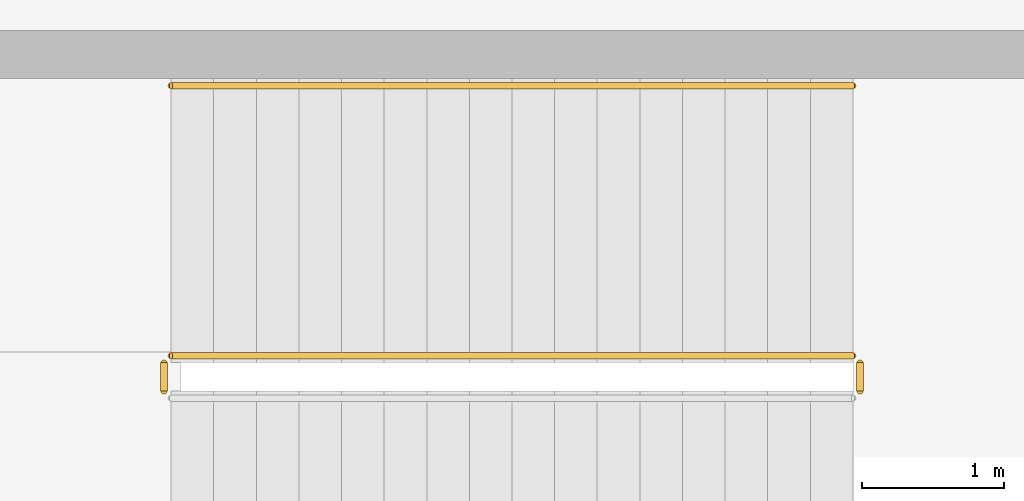
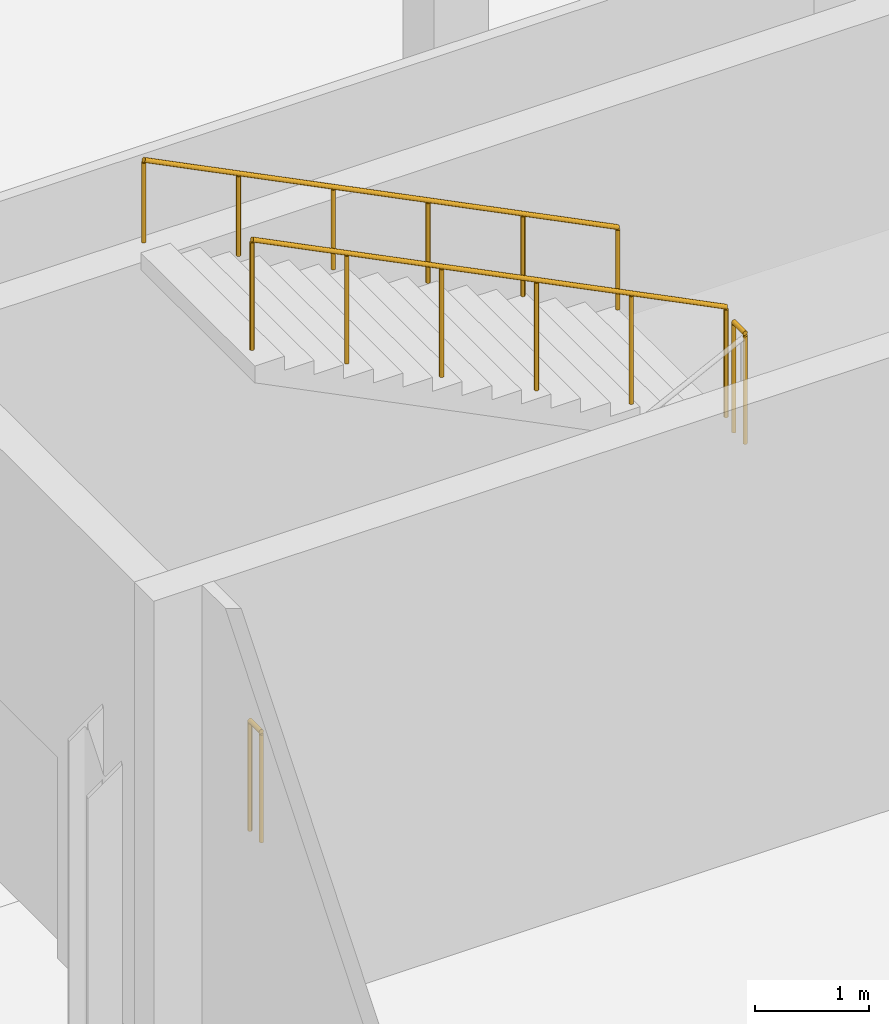
# One storey, part 98 of 103: 4 railings.
"""IFC4 building model written with IfcOpenShell, lengths in metres."""

from ifc_helpers import new_model, si_unit, direction, frame, origin, origin_2d, place, context, subcontext, project, spatial, circle, extrude, material, type_object, element, save


model = new_model("IFC4")

# Units and contexts
model_context = context("Model", 3, precision=1e-05, world=origin(), true_north=direction((0.0, 1.0)))
body_context = subcontext(model_context, "Body", "Model", "MODEL_VIEW")
ifc_project = project(units=[si_unit("LENGTHUNIT", "METRE"), si_unit("AREAUNIT", "SQUARE_METRE"), si_unit("VOLUMEUNIT", "CUBIC_METRE"), si_unit("PLANEANGLEUNIT", "RADIAN"), si_unit("MASSUNIT", "GRAM", prefix="KILO"), si_unit("THERMODYNAMICTEMPERATUREUNIT", "KELVIN")], contexts=[model_context])

# Site, building, storey
site_placement = place(None, origin())
site = spatial("IfcSite", under=ifc_project, at=site_placement, CompositionType="ELEMENT")
building_placement = place(site_placement, origin())
building = spatial("IfcBuilding", under=site, at=building_placement, Name="Lustrewick Department Store", CompositionType="ELEMENT")
storey_placement = place(building_placement, frame((0.0, 0.0, 16.5)))
storey = spatial("IfcBuildingStorey", under=building, at=storey_placement, Name="L04", CompositionType="ELEMENT", Elevation=16.5)

# Railings
ifc_material_1 = material(Name="Painted tubular steel stairwell guardrail", Category="steel")
railing_type_1 = type_object("IfcRailingType", Name="RL-STG", PredefinedType="GUARDRAIL", material=ifc_material_1)
railing_1_placement = place(storey_placement, frame((125.800048828125, 78.39990234375, 2.550048828125)))
element("IfcRailing", 1, at=railing_1_placement, inside=storey, type_object=railing_type_1, Name="L04 ST10 Stair Guard 2", PredefinedType="GUARDRAIL", context=body_context, shape_type="SweptSolid", body=[
    extrude(circle(Radius=0.02392578125, at=origin_2d()), frame((0.0, 0.0, 1.17578125), z_axis=(0.0, 1.0, 0.0), x_axis=(-1.0, 0.0, 0.0)), (0.0, 0.0, 1.0), 0.2001953125),
    extrude(circle(Radius=0.02099609375, at=origin_2d()), origin(), (0.0, 0.0, 1.0), 1.15185546875),
    extrude(circle(Radius=0.02099609375, at=origin_2d()), frame((0.0, 0.2001953125, 0.0)), (0.0, 0.0, 1.0), 1.15185546875),
])
railing_2_placement = place(storey_placement, frame((125.75, 78.64990234375, 2.699951171875)))
element("IfcRailing", 2, at=railing_2_placement, inside=storey, type_object=railing_type_1, Name="L04 ST10 Stair Guard 3", PredefinedType="GUARDRAIL", context=body_context, shape_type="SweptSolid", body=[
    extrude(circle(Radius=0.02392578125, at=origin_2d()), frame((0.0, 0.0, 1.17578125), z_axis=(-0.894418092416, 0.0, 0.447231792205), x_axis=(0.0, -1.0, 0.0)), (0.0, 0.0, 1.0), 5.36669921875),
    extrude(circle(Radius=0.02099609375, at=origin_2d()), origin(), (0.0, 0.0, 1.0), 1.15185546875),
    extrude(circle(Radius=0.02099609375, at=origin_2d()), frame((-0.9599609375, 0.0, 0.47998046875)), (0.0, 0.0, 1.0), 1.15185546875),
    extrude(circle(Radius=0.02099609375, at=origin_2d()), frame((-1.919921875, 0.0, 0.9599609375)), (0.0, 0.0, 1.0), 1.15185546875),
    extrude(circle(Radius=0.02099609375, at=origin_2d()), frame((-2.880126953125, 0.0, 1.440185546875)), (0.0, 0.0, 1.0), 1.15185546875),
    extrude(circle(Radius=0.02099609375, at=origin_2d()), frame((-3.840087890625, 0.0, 1.920166015625)), (0.0, 0.0, 1.0), 1.15185546875),
    extrude(circle(Radius=0.02099609375, at=origin_2d()), frame((-4.800048828125, 0.0, 2.400146484375)), (0.0, 0.0, 1.0), 1.15185546875),
])
railing_3_placement = place(storey_placement, frame((120.89990234375, 78.39990234375, 0.0)))
element("IfcRailing", 3, at=railing_3_placement, inside=storey, type_object=railing_type_1, Name="L04 ST10 Stair Guard 4", PredefinedType="GUARDRAIL", context=body_context, shape_type="SweptSolid", body=[
    extrude(circle(Radius=0.02392578125, at=origin_2d()), frame((0.0, 0.0, 1.17578125), z_axis=(0.0, 1.0, 0.0), x_axis=(-1.0, 0.0, 0.0)), (0.0, 0.0, 1.0), 0.2001953125),
    extrude(circle(Radius=0.02099609375, at=origin_2d()), origin(), (0.0, 0.0, 1.0), 1.15185546875),
    extrude(circle(Radius=0.02099609375, at=origin_2d()), frame((0.0, 0.2001953125, 0.0)), (0.0, 0.0, 1.0), 1.15185546875),
])
ifc_material_2 = material(Name="Brushed stainless steel wall handrail", Category="steel")
railing_type_2 = type_object("IfcRailingType", Name="RL-STH", PredefinedType="HANDRAIL", material=ifc_material_2)
railing_4_placement = place(storey_placement, frame((125.75, 80.550048828125, 2.699951171875)))
element("IfcRailing", 4, at=railing_4_placement, inside=storey, type_object=railing_type_2, Name="L04 ST10 Stair Handrail 2", PredefinedType="HANDRAIL", context=body_context, shape_type="SweptSolid", body=[
    extrude(circle(Radius=0.02392578125, at=origin_2d()), frame((0.0, 0.0, 0.8759765625), z_axis=(-0.894418092416, 0.0, 0.447231792205), x_axis=(0.0, -1.0, 0.0)), (0.0, 0.0, 1.0), 5.36669921875),
    extrude(circle(Radius=0.02099609375, at=origin_2d()), origin(), (0.0, 0.0, 1.0), 0.851806640625),
    extrude(circle(Radius=0.02099609375, at=origin_2d()), frame((-0.9599609375, 0.0, 0.47998046875)), (0.0, 0.0, 1.0), 0.851806640625),
    extrude(circle(Radius=0.02099609375, at=origin_2d()), frame((-1.919921875, 0.0, 0.9599609375)), (0.0, 0.0, 1.0), 0.851806640625),
    extrude(circle(Radius=0.02099609375, at=origin_2d()), frame((-2.880126953125, 0.0, 1.440185546875)), (0.0, 0.0, 1.0), 0.851806640625),
    extrude(circle(Radius=0.02099609375, at=origin_2d()), frame((-3.840087890625, 0.0, 1.920166015625)), (0.0, 0.0, 1.0), 0.851806640625),
    extrude(circle(Radius=0.02099609375, at=origin_2d()), frame((-4.800048828125, 0.0, 2.400146484375)), (0.0, 0.0, 1.0), 0.851806640625),
])

save(model, "model.ifc")
